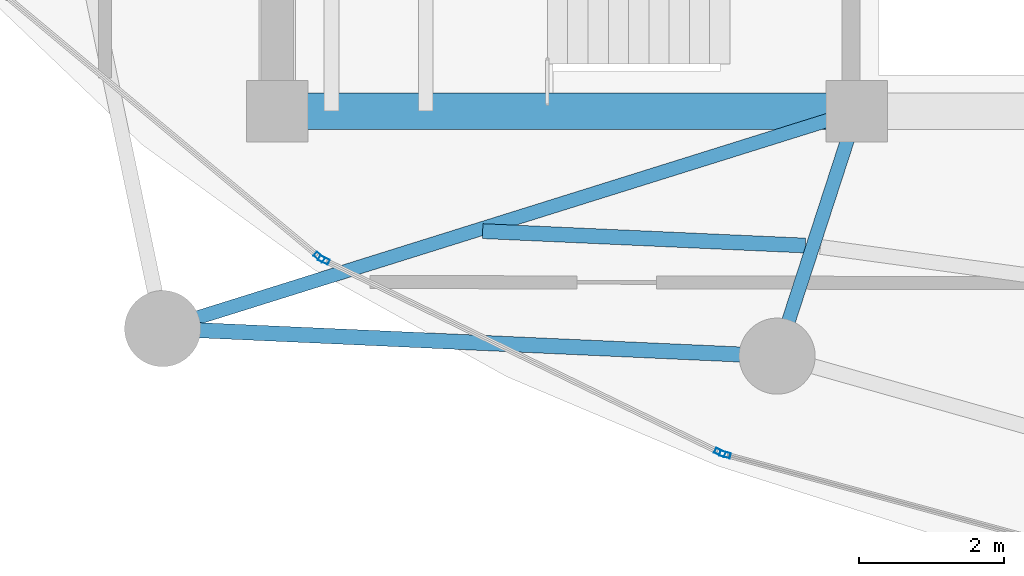
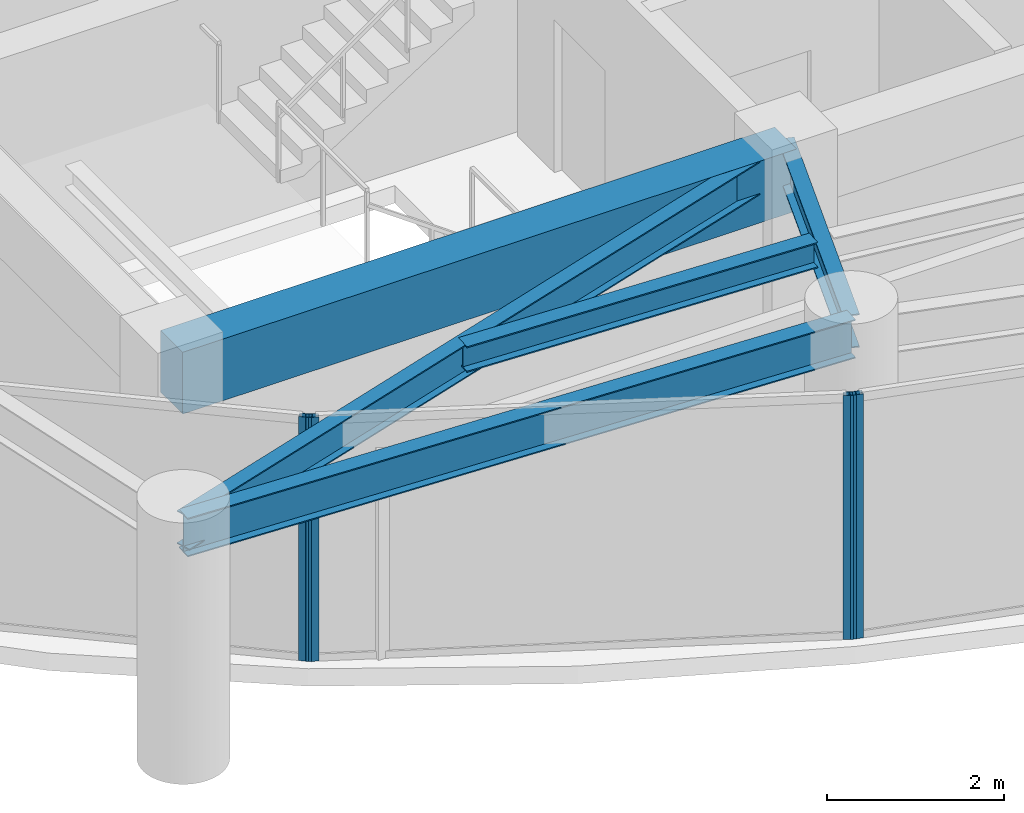
# One storey, part 2 of 28: 5 beams, 4 members, 3 elements without a shape of their own.
"""IFC4 building model written with IfcOpenShell, lengths in metres."""

from ifc_helpers import new_model, si_unit, direction, frame, origin, origin_2d, place, context, subcontext, project, spatial, rectangle, hollow_rectangle, i_section, extrude, material, layer, layer_set, material_profile, profile_set, type_object, element, aggregate, save


model = new_model("IFC4")

# Units and contexts
model_context = context("Model", 3, precision=1e-05, world=origin(), true_north=direction((0.0, 1.0)))
body_context = subcontext(model_context, "Body", "Model", "MODEL_VIEW")
ifc_project = project(units=[si_unit("LENGTHUNIT", "METRE"), si_unit("AREAUNIT", "SQUARE_METRE"), si_unit("VOLUMEUNIT", "CUBIC_METRE"), si_unit("PLANEANGLEUNIT", "RADIAN"), si_unit("MASSUNIT", "GRAM", prefix="KILO")], contexts=[model_context])

# Site, building, storey
site_placement = place(None, origin())
site = spatial("IfcSite", under=ifc_project, at=site_placement, CompositionType="ELEMENT")
building_placement = place(site_placement, origin())
building = spatial("IfcBuilding", under=site, at=building_placement, Name="Kazevale Care Tower and Concert Hall", CompositionType="ELEMENT")
storey_placement = place(building_placement, frame((0.0, 0.0, 246.0)))
storey = spatial("IfcBuildingStorey", under=building, at=storey_placement, Name="L65", CompositionType="ELEMENT", Elevation=246.0)

# Curtain wall, member
ifc_material_1 = material(Name="Aluminium 6063-T6 and Low-E Glass", Category="aluminium")
ifc_layer = layer(ifc_material_1, 0.179931640625)
ifc_layer_set = layer_set([ifc_layer], Name="Aluminium 6063-T6 and Low-E Glass")
curtain_wall_type = type_object("IfcCurtainWallType", Name="Sheltered Concave Balcony Curtain Wall CW-5", PredefinedType="NOTDEFINED", material=ifc_layer_set)
curtain_wall_1_placement = place(storey_placement, origin())
curtain_wall_1 = element("IfcCurtainWall", 1, at=curtain_wall_1_placement, inside=storey, type_object=curtain_wall_type, Name="cw:L65:f08", PredefinedType="NOTDEFINED")
ifc_material_2 = material(Name="Aluminium 6063-T6", Category="aluminium")
ifc_material_profile_1 = material_profile(ifc_material_2, hollow_rectangle(XDim=0.074951171875, YDim=0.14990234375, WallThickness=0.00390625, at=origin_2d()), Name="ALU75x150x4")
ifc_profile_set_1 = profile_set([ifc_material_profile_1], Name="Aluminium 6063-T6")
member_type = type_object("IfcMemberType", Name="CW-5 Mullion ALU75x150x4", PredefinedType="MULLION", material=ifc_profile_set_1)
member_1_placement = place(storey_placement, frame((28.18017578125, 18.863037109375, 0.0), z_axis=(0.0, 0.0, 1.0), x_axis=(-0.262848968947, -0.964836991167, 0.0)))
member_1 = element("IfcMember", 2, at=member_1_placement, type_object=member_type, Name="CW-5 mullion 2", PredefinedType="MULLION", context=body_context, shape_type="SweptSolid", body=[
    extrude(hollow_rectangle(XDim=0.074951171875, YDim=0.14990234375, WallThickness=0.00390625, at=origin_2d()), origin(), (0.0, 0.0, 1.0), 3.360107421875),
])
aggregate(curtain_wall_1, [member_1])

# Curtain wall, members
curtain_wall_2_placement = place(storey_placement, origin())
curtain_wall_2 = element("IfcCurtainWall", 3, at=curtain_wall_2_placement, inside=storey, type_object=curtain_wall_type, Name="cw:L65:f09", PredefinedType="NOTDEFINED")
member_2_placement = place(storey_placement, frame((28.1103515625, 18.889404296875, 0.0), z_axis=(0.0, 0.0, 1.0), x_axis=(-0.437238357087, -0.89934566163, 0.0)))
member_2 = element("IfcMember", 4, at=member_2_placement, type_object=member_type, Name="CW-5 mullion 1", PredefinedType="MULLION", context=body_context, shape_type="SweptSolid", body=[
    extrude(hollow_rectangle(XDim=0.074951171875, YDim=0.14990234375, WallThickness=0.00390625, at=origin_2d()), origin(), (0.0, 0.0, 1.0), 3.360107421875),
])
member_3_placement = place(storey_placement, frame((22.644775390625, 21.546630859375, 0.0), z_axis=(0.0, 0.0, 1.0), x_axis=(-0.437238357087, -0.89934566163, 0.0)))
member_3 = element("IfcMember", 5, at=member_3_placement, type_object=member_type, Name="CW-5 mullion 2", PredefinedType="MULLION", context=body_context, shape_type="SweptSolid", body=[
    extrude(hollow_rectangle(XDim=0.074951171875, YDim=0.14990234375, WallThickness=0.00390625, at=origin_2d()), origin(), (0.0, 0.0, 1.0), 3.360107421875),
])
aggregate(curtain_wall_2, [member_2, member_3])

# Curtain wall, member
curtain_wall_3_placement = place(storey_placement, origin())
curtain_wall_3 = element("IfcCurtainWall", 6, at=curtain_wall_3_placement, inside=storey, type_object=curtain_wall_type, Name="cw:L65:f10", PredefinedType="NOTDEFINED")
member_4_placement = place(storey_placement, frame((22.582275390625, 21.5869140625, 0.0), z_axis=(0.0, 0.0, 1.0), x_axis=(-0.639961217204, -0.768407210062, 0.0)))
member_4 = element("IfcMember", 7, at=member_4_placement, type_object=member_type, Name="CW-5 mullion 1", PredefinedType="MULLION", context=body_context, shape_type="SweptSolid", body=[
    extrude(hollow_rectangle(XDim=0.074951171875, YDim=0.14990234375, WallThickness=0.00390625, at=origin_2d()), origin(), (0.0, 0.0, 1.0), 3.360107421875),
])
aggregate(curtain_wall_3, [member_4])

# Beams
ifc_material_3 = material(Name="Concrete C60", Category="concrete")
ifc_material_profile_2 = material_profile(ifc_material_3, rectangle(XDim=0.5, YDim=0.85009765625, at=origin_2d()), Name="RC-B500x850")
ifc_profile_set_2 = profile_set([ifc_material_profile_2], Name="Concrete C60")
beam_type_1 = type_object("IfcBeamType", Name="Core Coupling Beam RC500x850", PredefinedType="LINTEL", material=ifc_profile_set_2)
beam_1_placement = place(storey_placement, frame((22.0, 23.60009765625, 2.93505859375), z_axis=(1.0, 0.0, 0.0), x_axis=(0.0, 1.0, 0.0)))
element("IfcBeam", 8, at=beam_1_placement, inside=storey, type_object=beam_type_1, Name="beam:L65:coretie:1", PredefinedType="LINTEL", context=body_context, shape_type="SweptSolid", body=[
    extrude(rectangle(XDim=0.5, YDim=0.85009765625, at=origin_2d()), origin(), (0.0, 0.0, 1.0), 8.0),
])
ifc_material_4 = material(Name="Steel ASTM A572 Gr 50", Category="steel")
ifc_material_profile_3 = material_profile(ifc_material_4, i_section(OverallWidth=0.19091796875, OverallDepth=0.4599609375, WebThickness=0.010009765625, FlangeThickness=0.01611328125, at=origin_2d()), Name="W460x82")
ifc_profile_set_3 = profile_set([ifc_material_profile_3], Name="Steel ASTM A572 Gr 50")
beam_type_2 = type_object("IfcBeamType", Name="Radial Floor Beam W460x82", PredefinedType="BEAM", material=ifc_profile_set_3)
beam_2_placement = place(storey_placement, frame((30.0, 23.60009765625, 3.1298828125), z_axis=(-0.954303255322, -0.298839918486, 0.0), x_axis=(0.298839918486, -0.954303255322, 0.0)))
element("IfcBeam", 9, at=beam_2_placement, inside=storey, type_object=beam_type_2, Name="beam:L65:rad:10", PredefinedType="BEAM", context=body_context, shape_type="SweptSolid", body=[
    extrude(i_section(OverallWidth=0.19091796875, OverallDepth=0.4599609375, WebThickness=0.010009765625, FlangeThickness=0.01611328125, at=origin_2d()), origin(), (0.0, 0.0, 1.0), 10.038818359375),
])
beam_3_placement = place(storey_placement, frame((30.0, 23.60009765625, 3.1298828125), z_axis=(-0.309482065101, -0.950905279921, 0.0), x_axis=(0.950905279921, -0.309482065101, 0.0)))
element("IfcBeam", 10, at=beam_3_placement, inside=storey, type_object=beam_type_2, Name="beam:L65:rad:11", PredefinedType="BEAM", context=body_context, shape_type="SweptSolid", body=[
    extrude(i_section(OverallWidth=0.19091796875, OverallDepth=0.4599609375, WebThickness=0.010009765625, FlangeThickness=0.01611328125, at=origin_2d()), origin(), (0.0, 0.0, 1.0), 3.5546875),
])
ifc_material_profile_4 = material_profile(ifc_material_4, i_section(OverallWidth=0.205078125, OverallDepth=0.35400390625, WebThickness=0.009521484375, FlangeThickness=0.016845703125, at=origin_2d()), Name="W360x79")
ifc_profile_set_4 = profile_set([ifc_material_profile_4], Name="Steel ASTM A572 Gr 50")
beam_type_3 = type_object("IfcBeamType", Name="Secondary Floor Joist W360x79", PredefinedType="JOIST", material=ifc_profile_set_4)
beam_4_placement = place(storey_placement, frame((24.8359375, 21.945068359375, 3.18310546875), z_axis=(0.999003687274, -0.044627713502, 0.0), x_axis=(0.044627713502, 0.999003687274, 0.0)))
element("IfcBeam", 11, at=beam_4_placement, inside=storey, type_object=beam_type_3, Name="beam:L65:joist:10", PredefinedType="JOIST", context=body_context, shape_type="SweptSolid", body=[
    extrude(i_section(OverallWidth=0.205078125, OverallDepth=0.35400390625, WebThickness=0.009521484375, FlangeThickness=0.016845703125, at=origin_2d()), origin(), (0.0, 0.0, 1.0), 4.45849609375),
])
ifc_material_profile_5 = material_profile(ifc_material_4, i_section(OverallWidth=0.208984375, OverallDepth=0.532958984375, WebThickness=0.01025390625, FlangeThickness=0.015625, at=origin_2d()), Name="W530x92")
ifc_profile_set_5 = profile_set([ifc_material_profile_5], Name="Steel ASTM A572 Gr 50")
beam_type_4 = type_object("IfcBeamType", Name="Upper Ring Beam W530x92", PredefinedType="BEAM", material=ifc_profile_set_5)
beam_5_placement = place(storey_placement, frame((20.419921875, 20.60009765625, 3.093505859375), z_axis=(0.998996808771, -0.044781425441, 0.0), x_axis=(0.044781425441, 0.998996808771, 0.0)))
element("IfcBeam", 12, at=beam_5_placement, inside=storey, type_object=beam_type_4, Name="beam:L65:ring:10", PredefinedType="BEAM", context=body_context, shape_type="SweptSolid", body=[
    extrude(i_section(OverallWidth=0.208984375, OverallDepth=0.532958984375, WebThickness=0.01025390625, FlangeThickness=0.015625, at=origin_2d()), origin(), (0.0, 0.0, 1.0), 8.488525390625),
])

save(model, "model.ifc")
